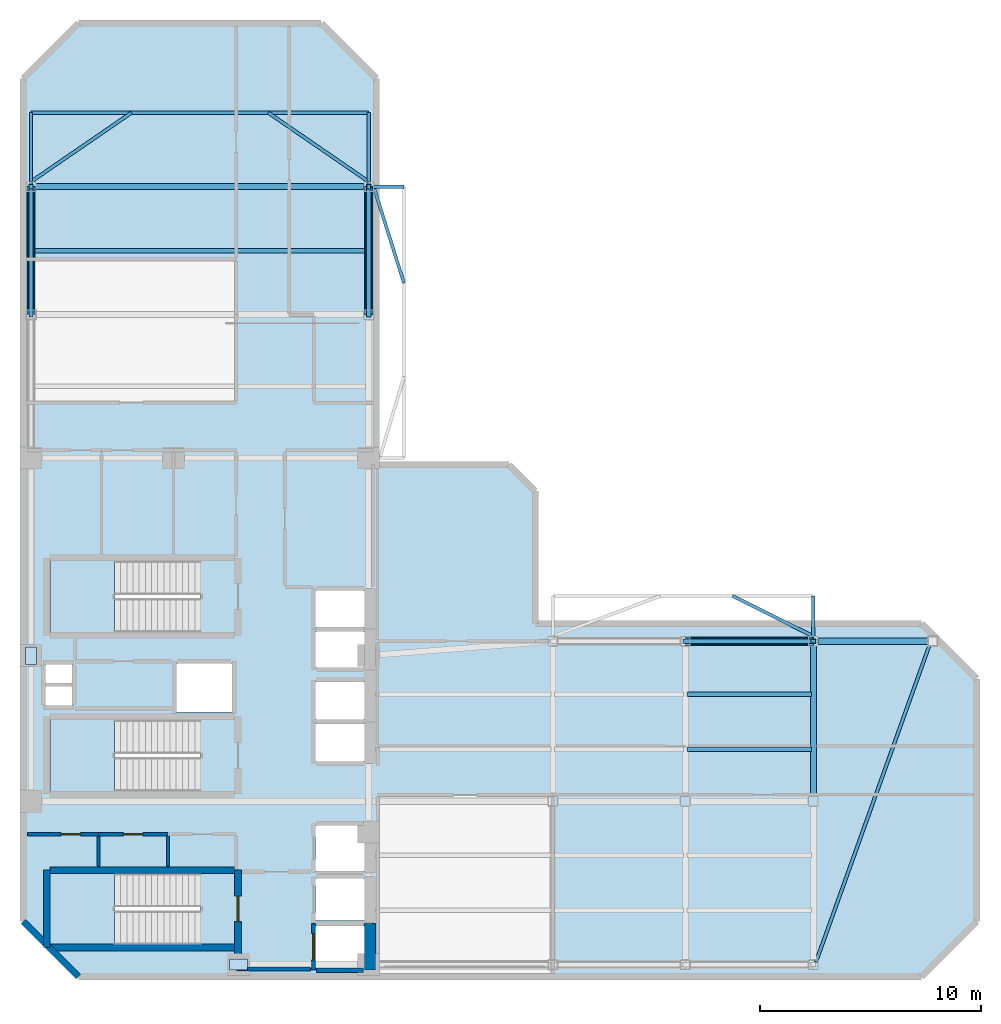
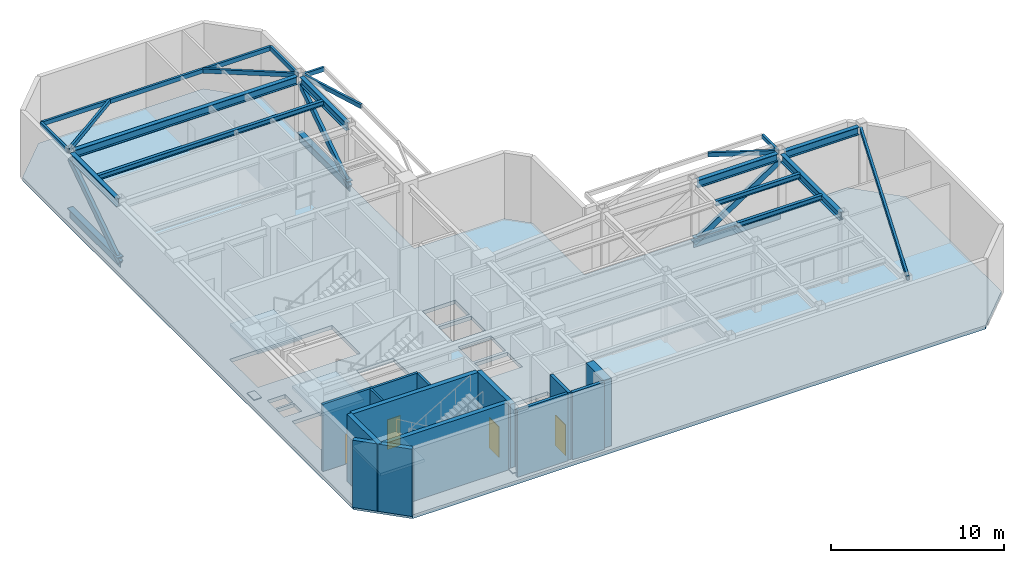
# One storey, part 2 of 7: 19 beams, 13 walls, 6 members, 4 doors, 4 slabs, 2 plates, 4 openings, 3 elements without a shape of their own.
"""IFC4 building model written with IfcOpenShell, lengths in metres."""

from ifc_helpers import new_model, si_unit, direction, frame, frame_2d, origin, origin_2d, place, context, subcontext, project, spatial, polyline, rectangle, hollow_rectangle, i_section, outline, extrude, material, layer, layer_set, material_profile, profile_set, type_object, element, fill, aggregate, save


model = new_model("IFC4")

# Units and contexts
model_context = context("Model", 3, precision=1e-05, world=origin(), true_north=direction((0.0, 1.0)))
body_context = subcontext(model_context, "Body", "Model", "MODEL_VIEW")
ifc_project = project(units=[si_unit("LENGTHUNIT", "METRE"), si_unit("AREAUNIT", "SQUARE_METRE"), si_unit("VOLUMEUNIT", "CUBIC_METRE"), si_unit("PLANEANGLEUNIT", "RADIAN"), si_unit("MASSUNIT", "GRAM", prefix="KILO")], contexts=[model_context])

# Site, building, storey
site_placement = place(None, origin())
site = spatial("IfcSite", under=ifc_project, at=site_placement, CompositionType="ELEMENT")
building_placement = place(site_placement, origin())
building = spatial("IfcBuilding", under=site, at=building_placement, Name="Mawjaban Terraces University", CompositionType="ELEMENT")
storey_placement = place(building_placement, frame((0.0, 0.0, 238.199951171875)))
storey = spatial("IfcBuildingStorey", under=building, at=storey_placement, Name="L58", CompositionType="ELEMENT", Elevation=238.199951171875)

# Beams
ifc_material_1 = material(Name="Steel EN 10210-1 S355J2H", Category="steel")
ifc_material_profile_1 = material_profile(ifc_material_1, hollow_rectangle(XDim=0.14990234375, YDim=0.300048828125, WallThickness=0.012451171875, at=origin_2d()), Name="RHS300X150X12.5")
ifc_profile_set_1 = profile_set([ifc_material_profile_1], Name="Steel EN 10210-1 S355J2H")
beam_type_1 = type_object("IfcBeamType", Name="BalconyCantileverSpandrel_RHS", PredefinedType="SPANDREL", material=ifc_profile_set_1)
beam_1_placement = place(storey_placement, frame((57.800048828125, 15.425048828125, 4.590087890625), z_axis=(0.0, 1.0, 0.0), x_axis=(-1.0, 0.0, 0.0)))
element("IfcBeam", 1, at=beam_1_placement, inside=storey, type_object=beam_type_1, Name="L58 Exterior Outrigger BAL-L59-N.2", PredefinedType="SPANDREL", context=body_context, shape_type="SweptSolid", body=[
    extrude(hollow_rectangle(XDim=0.14990234375, YDim=0.300048828125, WallThickness=0.012451171875, at=origin_2d()), origin(), (0.0, 0.0, 1.0), 1.824951171875),
])
beam_2_placement = place(storey_placement, frame((57.800048828125, 15.425048828125, 4.590087890625), z_axis=(-0.894928055926, 0.446210460115, 0.0), x_axis=(-0.446210460115, -0.894928055926, 0.0)))
element("IfcBeam", 2, at=beam_2_placement, inside=storey, type_object=beam_type_1, Name="L58 Exterior Diagonal Strut BAL-L59-N.2", PredefinedType="SPANDREL", context=body_context, shape_type="SweptSolid", body=[
    extrude(hollow_rectangle(XDim=0.14990234375, YDim=0.300048828125, WallThickness=0.012451171875, at=origin_2d()), origin(), (0.0, 0.0, 1.0), 4.08984375),
])
beam_3_placement = place(storey_placement, frame((37.875, 35.800048828125, 4.590087890625), z_axis=(1.0, 0.0, 0.0), x_axis=(0.0, 1.0, 0.0)))
element("IfcBeam", 3, at=beam_3_placement, inside=storey, type_object=beam_type_1, Name="L58 Exterior Outrigger BAL-L59-E.2", PredefinedType="SPANDREL", context=body_context, shape_type="SweptSolid", body=[
    extrude(hollow_rectangle(XDim=0.14990234375, YDim=0.300048828125, WallThickness=0.012451171875, at=origin_2d()), origin(), (0.0, 0.0, 1.0), 1.375),
])
beam_4_placement = place(storey_placement, frame((37.875, 35.800048828125, 4.590087890625), z_axis=(0.300009430376, -0.95393623565, 0.0), x_axis=(0.95393623565, 0.300009430376, 0.0)))
element("IfcBeam", 4, at=beam_4_placement, inside=storey, type_object=beam_type_1, Name="L58 Exterior Diagonal Strut BAL-L59-E.2", PredefinedType="SPANDREL", context=body_context, shape_type="SweptSolid", body=[
    extrude(hollow_rectangle(XDim=0.14990234375, YDim=0.300048828125, WallThickness=0.012451171875, at=origin_2d()), origin(), (0.0, 0.0, 1.0), 4.583251953125),
])
beam_5_placement = place(storey_placement, frame((57.919921875, 0.669921875, 4.590087890625), z_axis=(0.337128459036, 0.941458656611, 0.0), x_axis=(-0.941458656611, 0.337128459036, 0.0)))
element("IfcBeam", 5, at=beam_5_placement, inside=storey, type_object=beam_type_1, Name="L58 Setback Terrace Diagonal TER-L59-EAST.1", PredefinedType="SPANDREL", context=body_context, shape_type="SweptSolid", body=[
    extrude(hollow_rectangle(XDim=0.14990234375, YDim=0.300048828125, WallThickness=0.012451171875, at=origin_2d()), origin(), (0.0, 0.0, 1.0), 15.30615234375),
])
for number, where, z_axis, x_axis, name in (
    (6, (22.35009765625, 36.02490234375, 4.590087890625), (0.0, 1.0, 0.0), (-1.0, 0.0, 0.0), "L58 Exterior Outrigger TER-L59-NORTH.1"),
    (7, (37.64990234375, 36.02490234375, 4.590087890625), (0.0, 1.0, 0.0), (-1.0, 0.0, 0.0), "L58 Exterior Outrigger TER-L59-NORTH.2"),
):
    element("IfcBeam", number, at=place(storey_placement, frame(where, z_axis=z_axis, x_axis=x_axis)), inside=storey, type_object=beam_type_1, Name=name, PredefinedType="SPANDREL", context=body_context, shape_type="SweptSolid", body=[
        extrude(hollow_rectangle(XDim=0.14990234375, YDim=0.300048828125, WallThickness=0.012451171875, at=origin_2d()), origin(), (0.0, 0.0, 1.0), 3.125),
    ])
beam_6_placement = place(storey_placement, frame((22.35009765625, 39.14990234375, 4.590087890625), z_axis=(1.0, 0.0, 0.0), x_axis=(0.0, 1.0, 0.0)))
element("IfcBeam", 8, at=beam_6_placement, inside=storey, type_object=beam_type_1, Name="L58 Exterior Edge Spandrel TER-L59-NORTH", PredefinedType="SPANDREL", context=body_context, shape_type="SweptSolid", body=[
    extrude(hollow_rectangle(XDim=0.14990234375, YDim=0.300048828125, WallThickness=0.012451171875, at=origin_2d()), origin(), (0.0, 0.0, 1.0), 15.2998046875),
])
for number, where, z_axis, x_axis, name in (
    (9, (22.35009765625, 36.02490234375, 4.590087890625), (0.824294793562, 0.56616083696, 0.0), (-0.56616083696, 0.824294793562, 0.0), "L58 Exterior Diagonal Strut TER-L59-NORTH.1"),
    (10, (37.64990234375, 36.02490234375, 4.590087890625), (-0.824294793562, 0.56616083696, 0.0), (-0.56616083696, -0.824294793562, 0.0), "L58 Exterior Diagonal Strut TER-L59-NORTH.2"),
):
    element("IfcBeam", number, at=place(storey_placement, frame(where, z_axis=z_axis, x_axis=x_axis)), inside=storey, type_object=beam_type_1, Name=name, PredefinedType="SPANDREL", context=body_context, shape_type="SweptSolid", body=[
        extrude(hollow_rectangle(XDim=0.14990234375, YDim=0.300048828125, WallThickness=0.012451171875, at=origin_2d()), origin(), (0.0, 0.0, 1.0), 5.51953125),
    ])
ifc_material_2 = material(Name="Steel ASTM A572 Grade 50", Category="steel")
ifc_material_profile_2 = material_profile(ifc_material_2, i_section(OverallWidth=0.281005859375, OverallDepth=0.551025390625, WebThickness=0.01513671875, FlangeThickness=0.02587890625, at=origin_2d()), Name="W530X182")
ifc_profile_set_2 = profile_set([ifc_material_profile_2], Name="Steel ASTM A572 Grade 50")
beam_type_2 = type_object("IfcBeamType", Name="Beam_B_W530X182", PredefinedType="BEAM", material=ifc_profile_set_2)
beam_7_placement = place(storey_placement, frame((52.22509765625, 15.199951171875, 4.465087890625), z_axis=(1.0, 0.0, 0.0), x_axis=(0.0, 1.0, 0.0)))
element("IfcBeam", 11, at=beam_7_placement, inside=storey, type_object=beam_type_2, Name="L58 Beam BM-L58-EW-08", PredefinedType="BEAM", context=body_context, shape_type="SweptSolid", body=[
    extrude(i_section(OverallWidth=0.281005859375, OverallDepth=0.551025390625, WebThickness=0.01513671875, FlangeThickness=0.02587890625, at=origin_2d()), origin(), (0.0, 0.0, 1.0), 5.349853515625),
])
beam_8_placement = place(storey_placement, frame((58.02490234375, 15.199951171875, 4.465087890625), z_axis=(1.0, 0.0, 0.0), x_axis=(0.0, 1.0, 0.0)))
element("IfcBeam", 12, at=beam_8_placement, inside=storey, type_object=beam_type_2, Name="L58 Beam BM-L58-EW-09", PredefinedType="BEAM", context=body_context, shape_type="SweptSolid", body=[
    extrude(i_section(OverallWidth=0.281005859375, OverallDepth=0.551025390625, WebThickness=0.01513671875, FlangeThickness=0.02587890625, at=origin_2d()), origin(), (0.0, 0.0, 1.0), 4.9501953125),
])
beam_9_placement = place(storey_placement, frame((22.574951171875, 35.800048828125, 4.465087890625), z_axis=(1.0, 0.0, 0.0), x_axis=(0.0, 1.0, 0.0)))
element("IfcBeam", 13, at=beam_9_placement, inside=storey, type_object=beam_type_2, Name="L58 Beam BM-L58-EW-13", PredefinedType="BEAM", context=body_context, shape_type="SweptSolid", body=[
    extrude(i_section(OverallWidth=0.281005859375, OverallDepth=0.551025390625, WebThickness=0.01513671875, FlangeThickness=0.02587890625, at=origin_2d()), origin(), (0.0, 0.0, 1.0), 14.85009765625),
])
for number, where, z_axis, x_axis, name in (
    (14, (22.35009765625, 30.22509765625, 4.465087890625), (0.0, 1.0, 0.0), (-1.0, 0.0, 0.0), "L58 Beam BM-L58-NS-04"),
    (15, (37.64990234375, 30.22509765625, 4.465087890625), (0.0, 1.0, 0.0), (-1.0, 0.0, 0.0), "L58 Beam BM-L58-NS-09"),
):
    element("IfcBeam", number, at=place(storey_placement, frame(where, z_axis=z_axis, x_axis=x_axis)), inside=storey, type_object=beam_type_2, Name=name, PredefinedType="BEAM", context=body_context, shape_type="SweptSolid", body=[
        extrude(i_section(OverallWidth=0.281005859375, OverallDepth=0.551025390625, WebThickness=0.01513671875, FlangeThickness=0.02587890625, at=origin_2d()), origin(), (0.0, 0.0, 1.0), 5.349853515625),
    ])
beam_10_placement = place(storey_placement, frame((57.800048828125, 8.175048828125, 4.465087890625), z_axis=(0.0, 1.0, 0.0), x_axis=(-1.0, 0.0, 0.0)))
element("IfcBeam", 16, at=beam_10_placement, inside=storey, type_object=beam_type_2, Name="L58 Beam BM-L58-NS-15", PredefinedType="BEAM", context=body_context, shape_type="SweptSolid", body=[
    extrude(i_section(OverallWidth=0.281005859375, OverallDepth=0.551025390625, WebThickness=0.01513671875, FlangeThickness=0.02587890625, at=origin_2d()), origin(), (0.0, 0.0, 1.0), 6.800048828125),
])
ifc_material_profile_3 = material_profile(ifc_material_2, i_section(OverallWidth=0.202880859375, OverallDepth=0.346923828125, WebThickness=0.0078125, FlangeThickness=0.013427734375, at=origin_2d()), Name="W360X64")
ifc_profile_set_3 = profile_set([ifc_material_profile_3], Name="Steel ASTM A572 Grade 50")
beam_type_3 = type_object("IfcBeamType", Name="Beam_J_W360X64", PredefinedType="JOIST", material=ifc_profile_set_3)
for number, where, z_axis, x_axis, name in (
    (17, (52.080078125, 10.300048828125, 4.567138671875), (1.0, 0.0, 0.0), (0.0, 1.0, 0.0), "L58 Composite Joist JST-L58-09"),
    (18, (52.080078125, 12.800048828125, 4.567138671875), (1.0, 0.0, 0.0), (0.0, 1.0, 0.0), "L58 Composite Joist JST-L58-12"),
):
    element("IfcBeam", number, at=place(storey_placement, frame(where, z_axis=z_axis, x_axis=x_axis)), inside=storey, type_object=beam_type_3, Name=name, PredefinedType="JOIST", context=body_context, shape_type="SweptSolid", body=[
        extrude(i_section(OverallWidth=0.202880859375, OverallDepth=0.346923828125, WebThickness=0.0078125, FlangeThickness=0.013427734375, at=origin_2d()), origin(), (0.0, 0.0, 1.0), 5.639892578125),
    ])
beam_11_placement = place(storey_placement, frame((22.429931640625, 32.89990234375, 4.567138671875), z_axis=(1.0, 0.0, 0.0), x_axis=(0.0, 1.0, 0.0)))
element("IfcBeam", 19, at=beam_11_placement, inside=storey, type_object=beam_type_3, Name="L58 Composite Joist JST-L58-14", PredefinedType="JOIST", context=body_context, shape_type="SweptSolid", body=[
    extrude(i_section(OverallWidth=0.202880859375, OverallDepth=0.346923828125, WebThickness=0.0078125, FlangeThickness=0.013427734375, at=origin_2d()), origin(), (0.0, 0.0, 1.0), 15.14013671875),
])

# Members
ifc_material_3 = material(Name="Steel ASTM A913 Grade 65", Category="steel")
ifc_material_profile_4 = material_profile(ifc_material_3, hollow_rectangle(XDim=0.199951171875, YDim=0.39990234375, WallThickness=0.013916015625, at=origin_2d()), Name="RHS400X200X14")
ifc_profile_set_4 = profile_set([ifc_material_profile_4], Name="Steel ASTM A913 Grade 65")
member_type_1 = type_object("IfcMemberType", Name="Mem_BRACE_RHS400X200X14", PredefinedType="BRACE", material=ifc_profile_set_4)
for number, where, z_axis, x_axis, name in (
    (20, (52.0, 15.199951171875, 0.35009765625), (0.833827909756, 0.0, 0.552024471298), (0.0, 1.0, 0.0), "L58 Belt Truss Brace BE3"),
    (21, (22.35009765625, 30.0, 0.35009765625), (0.0, 0.833827909756, 0.552024471298), (-1.0, 0.0, 0.0), "L58 Belt Truss Brace BW2"),
    (22, (37.64990234375, 30.0, 0.35009765625), (0.0, 0.833827909756, 0.552024471298), (-1.0, 0.0, 0.0), "L58 Belt Truss Brace BN2"),
):
    element("IfcMember", number, at=place(storey_placement, frame(where, z_axis=z_axis, x_axis=x_axis)), inside=storey, type_object=member_type_1, Name=name, PredefinedType="BRACE", context=body_context, shape_type="SweptSolid", body=[
        extrude(hollow_rectangle(XDim=0.199951171875, YDim=0.39990234375, WallThickness=0.013916015625, at=origin_2d()), origin(), (0.0, 0.0, 1.0), 6.955810546875),
    ])
ifc_material_profile_5 = material_profile(ifc_material_3, i_section(OverallWidth=0.381103515625, OverallDepth=0.77294921875, WebThickness=0.0166015625, FlangeThickness=0.027587890625, at=origin_2d()), Name="W760X257")
ifc_profile_set_5 = profile_set([ifc_material_profile_5], Name="Steel ASTM A913 Grade 65")
member_type_2 = type_object("IfcMemberType", Name="Mem_CHORD_W760X257", PredefinedType="CHORD", material=ifc_profile_set_5)
for number, where, z_axis, x_axis, name in (
    (23, (52.0, 15.199951171875, 0.35009765625), (1.0, 0.0, 0.0), (0.0, 1.0, 0.0), "L58 Belt Truss Chord BE3"),
    (24, (22.35009765625, 30.0, 0.35009765625), (0.0, 1.0, 0.0), (-1.0, 0.0, 0.0), "L58 Belt Truss Chord BW2"),
    (25, (37.64990234375, 30.0, 0.35009765625), (0.0, 1.0, 0.0), (-1.0, 0.0, 0.0), "L58 Belt Truss Chord BN2"),
):
    element("IfcMember", number, at=place(storey_placement, frame(where, z_axis=z_axis, x_axis=x_axis)), inside=storey, type_object=member_type_2, Name=name, PredefinedType="CHORD", context=body_context, shape_type="SweptSolid", body=[
        extrude(i_section(OverallWidth=0.381103515625, OverallDepth=0.77294921875, WebThickness=0.0166015625, FlangeThickness=0.027587890625, at=origin_2d()), origin(), (0.0, 0.0, 1.0), 5.800048828125),
    ])

# Slab
ifc_material_4 = material(Name="Concrete C40/50", Category="concrete")
ifc_layer_1 = layer(ifc_material_4, 0.260009765625)
ifc_layer_set_1 = layer_set([ifc_layer_1], Name="Concrete C40/50")
slab_type_1 = type_object("IfcSlabType", Name="DiaphragmSlab_260", PredefinedType="FLOOR", material=ifc_layer_set_1)
slab_1_placement = place(storey_placement, frame((0.0, 0.0, -0.260009765625)))
element("IfcSlab", 26, at=slab_1_placement, inside=storey, type_object=slab_type_1, Name="L58 Primary Structural Slab", PredefinedType="FLOOR", context=body_context, shape_type="SweptSolid", body=[
    extrude(outline(polyline([(24.5, 0.0), (62.699951171875, 0.0), (65.199951171875, 2.5), (65.199951171875, 13.5), (62.699951171875, 16.0), (45.199951171875, 16.0), (45.199951171875, 22.0), (44.0, 23.199951171875), (38.0, 23.199951171875), (38.0, 40.699951171875), (35.5, 43.199951171875), (24.5, 43.199951171875), (22.0, 40.699951171875), (22.0, 2.5), (24.5, 0.0)]), holes=[polyline([(30.014892578125, 4.699951171875), (23.199951171875, 4.699951171875), (23.199951171875, 1.449951171875), (30.014892578125, 1.449951171875), (30.014892578125, 4.699951171875)]), polyline([(30.014892578125, 18.85009765625), (23.199951171875, 18.85009765625), (23.199951171875, 15.60009765625), (30.014892578125, 15.60009765625), (30.014892578125, 18.85009765625)]), polyline([(30.014892578125, 11.64990234375), (23.199951171875, 11.64990234375), (23.199951171875, 8.39990234375), (30.014892578125, 8.39990234375), (30.014892578125, 11.64990234375)]), polyline([(35.25, 0.39990234375), (37.449951171875, 0.39990234375), (37.449951171875, 2.300048828125), (35.25, 2.300048828125), (35.25, 0.39990234375)]), polyline([(35.25, 2.550048828125), (37.449951171875, 2.550048828125), (37.449951171875, 4.449951171875), (35.25, 4.449951171875), (35.25, 2.550048828125)]), polyline([(35.25, 4.800048828125), (37.449951171875, 4.800048828125), (37.449951171875, 6.85009765625), (35.25, 6.85009765625), (35.25, 4.800048828125)]), polyline([(35.25, 9.75), (37.449951171875, 9.75), (37.449951171875, 11.449951171875), (35.25, 11.449951171875), (35.25, 9.75)]), polyline([(35.25, 11.64990234375), (37.449951171875, 11.64990234375), (37.449951171875, 13.35009765625), (35.25, 13.35009765625), (35.25, 11.64990234375)]), polyline([(28.949951171875, 12.0), (31.449951171875, 12.0), (31.449951171875, 14.199951171875), (28.949951171875, 14.199951171875), (28.949951171875, 12.0)]), polyline([(35.25, 14.0), (37.449951171875, 14.0), (37.449951171875, 15.64990234375), (35.25, 15.64990234375), (35.25, 14.0)]), polyline([(35.25, 15.85009765625), (37.449951171875, 15.85009765625), (37.449951171875, 17.5), (35.25, 17.5), (35.25, 15.85009765625)]), polyline([(23.0, 12.25), (24.199951171875, 12.25), (24.199951171875, 13.14990234375), (23.0, 13.14990234375), (23.0, 12.25)]), polyline([(23.0, 13.300048828125), (24.199951171875, 13.300048828125), (24.199951171875, 14.179931640625), (23.0, 14.179931640625), (23.0, 13.300048828125)])]), origin(), (0.0, 0.0, 1.0), 0.260009765625),
])

# Plates
ifc_layer_2 = layer(ifc_material_2, 0.050048828125)
ifc_layer_set_2 = layer_set([ifc_layer_2], Name="Steel ASTM A572 Grade 50")
plate_type = type_object("IfcPlateType", Name="OutriggerEmbedPlate_50", PredefinedType="USERDEFINED", material=ifc_layer_set_2)
for number, where, z_axis, x_axis, name in (
    (27, (31.75, 0.550048828125, 0.3251953125), (0.0, 0.0, 1.0), (1.0, 0.0, 0.0), "L58 Outrigger Core Embed Plate OUT-E1"),
    (28, (22.35009765625, 14.550048828125, 0.3251953125), (0.0, 0.0, 1.0), (0.0, 1.0, 0.0), "L58 Outrigger Core Embed Plate OUT-N1"),
):
    element("IfcPlate", number, at=place(storey_placement, frame(where, z_axis=z_axis, x_axis=x_axis)), inside=storey, type_object=plate_type, Name=name, ObjectType="GUSSET_PLATE", PredefinedType="USERDEFINED", context=body_context, shape_type="SweptSolid", body=[
        extrude(rectangle(XDim=0.800048828125, YDim=0.5, at=origin_2d()), origin(), (0.0, 0.0, 1.0), 0.050048828125),
    ])

# Stair, slab
stair_type = type_object("IfcStairType", Name="Stair_Core1550_H50", PredefinedType="HALF_TURN_STAIR", material=ifc_material_4)
stair_1_placement = place(storey_placement, origin())
stair_1 = element("IfcStair", 29, at=stair_1_placement, inside=storey, type_object=stair_type, Name="L58 Core Exit Stair 1", PredefinedType="HALF_TURN_STAIR")
ifc_layer_3 = layer(ifc_material_4, 0.199951171875)
ifc_layer_set_3 = layer_set([ifc_layer_3], Name="Concrete C40/50")
slab_type_2 = type_object("IfcSlabType", Name="StairLandingSlab_200", PredefinedType="LANDING", material=ifc_layer_set_3)
slab_2_placement = place(storey_placement, frame((0.0, 0.0, 2.300048828125)))
slab_2 = element("IfcSlab", 30, at=slab_2_placement, type_object=slab_type_2, Name="ST-1 landing 1", PredefinedType="LANDING", context=body_context, shape_type="SweptSolid", body=[
    extrude(outline(polyline([(26.1298828125, 4.699951171875), (23.199951171875, 4.699951171875), (23.199951171875, 1.449951171875), (26.1298828125, 1.449951171875), (26.1298828125, 4.699951171875)])), origin(), (0.0, 0.0, 1.0), 0.199951171875),
])
aggregate(stair_1, [slab_2])

stair_2_placement = place(storey_placement, origin())
stair_2 = element("IfcStair", 31, at=stair_2_placement, inside=storey, type_object=stair_type, Name="L58 Core Exit Stair 2", PredefinedType="HALF_TURN_STAIR")
slab_3_placement = place(storey_placement, frame((0.0, 0.0, 2.300048828125)))
slab_3 = element("IfcSlab", 32, at=slab_3_placement, type_object=slab_type_2, Name="ST-2 landing 1", PredefinedType="LANDING", context=body_context, shape_type="SweptSolid", body=[
    extrude(outline(polyline([(26.1298828125, 18.85009765625), (23.199951171875, 18.85009765625), (23.199951171875, 15.60009765625), (26.1298828125, 15.60009765625), (26.1298828125, 18.85009765625)])), origin(), (0.0, 0.0, 1.0), 0.199951171875),
])
aggregate(stair_2, [slab_3])

stair_3_placement = place(storey_placement, origin())
stair_3 = element("IfcStair", 33, at=stair_3_placement, inside=storey, type_object=stair_type, Name="L58 Core Exit Stair 3", PredefinedType="HALF_TURN_STAIR")
slab_4_placement = place(storey_placement, frame((0.0, 0.0, 2.300048828125)))
slab_4 = element("IfcSlab", 34, at=slab_4_placement, type_object=slab_type_2, Name="ST-3 landing 1", PredefinedType="LANDING", context=body_context, shape_type="SweptSolid", body=[
    extrude(outline(polyline([(26.1298828125, 11.64990234375), (23.199951171875, 11.64990234375), (23.199951171875, 8.39990234375), (26.1298828125, 8.39990234375), (26.1298828125, 11.64990234375)])), origin(), (0.0, 0.0, 1.0), 0.199951171875),
])
aggregate(stair_3, [slab_4])

# Wall
ifc_material_5 = material(Name="Concrete C60/75", Category="concrete")
ifc_layer_4 = layer(ifc_material_5, 0.5)
ifc_layer_set_4 = layer_set([ifc_layer_4], Name="Concrete C60/75")
wall_type_1 = type_object("IfcWallType", Name="CoreShearWall_500", PredefinedType="SHEAR", material=ifc_layer_set_4)
wall_1_placement = place(storey_placement, frame((37.699951171875, 0.300048828125, 0.0), z_axis=(0.0, 0.0, 1.0), x_axis=(0.0, 1.0, 0.0)))
element("IfcWall", 35, at=wall_1_placement, inside=storey, type_object=wall_type_1, Name="L58 Lift FL-1 Hoistway Wall East", PredefinedType="SHEAR", context=body_context, shape_type="SweptSolid", body=[
    extrude(rectangle(XDim=2.099853515625, YDim=0.5, at=frame_2d((1.0498046875, 0.0))), origin(), (0.0, 0.0, 1.0), 4.739990234375),
])

# Wall, opening, door
ifc_material_6 = material(Name="Fire-rated gypsum board on steel stud", Category="steel")
ifc_layer_5 = layer(ifc_material_6, 0.159912109375)
ifc_layer_set_5 = layer_set([ifc_layer_5], Name="Fire-rated gypsum board on steel stud")
wall_type_2 = type_object("IfcWallType", Name="CorridorPartition_160", PredefinedType="PARTITIONING", material=ifc_layer_set_5)
wall_2_placement = place(storey_placement, frame((22.199951171875, 6.449951171875, 0.0), z_axis=(0.0, 0.0, 1.0), x_axis=(1.0, 0.0, 0.0)))
wall_2 = element("IfcWall", 36, at=wall_2_placement, inside=storey, type_object=wall_type_2, Name="L58 Core Washroom Lobby Partition 1", PredefinedType="PARTITIONING", context=body_context, shape_type="SweptSolid", body=[
    extrude(rectangle(XDim=3.199951171875, YDim=0.159912109375, at=frame_2d((1.60009765625, 0.0))), origin(), (0.0, 0.0, 1.0), 4.739990234375),
])
opening_1_placement = place(wall_2_placement, frame((1.510009765625, 0.0, 0.0)))
opening_1 = element("IfcOpeningElement", 37, at=opening_1_placement, cuts=wall_2, Name="Opening ID-088", PredefinedType="OPENING", context=body_context, shape_type="SweptSolid", body=[
    extrude(rectangle(XDim=0.8798828125, YDim=2.10009765625, at=frame_2d((0.43994140625, 1.050048828125))), frame((0.0, 0.08984375, 0.0), z_axis=(0.0, -1.0, 0.0), x_axis=(1.0, 0.0, 0.0)), (0.0, 0.0, 1.0), 0.179931640625),
])
ifc_material_7 = material(Name="Powder-coated steel frame and solid acoustic timber leaf", Category="steel")
door_type_1 = type_object("IfcDoorType", Name="ToiletDoor_880x2100", OperationType="NOTDEFINED", PredefinedType="DOOR", material=ifc_material_7)
door_1_placement = place(opening_1_placement, origin())
door_1 = element("IfcDoor", 38, at=door_1_placement, inside=storey, type_object=door_type_1, Name="L58 Male Toilet Door", OperationType="SINGLE_SWING_LEFT", OverallHeight=2.10009765625, OverallWidth=0.8798828125, PredefinedType="DOOR", context=body_context, shape_type="SweptSolid", body=[
    extrude(rectangle(XDim=0.8798828125, YDim=2.10009765625, at=frame_2d((0.43994140625, 1.050048828125))), frame((0.0, 0.02490234375, 0.0), z_axis=(0.0, -1.0, 0.0), x_axis=(1.0, 0.0, 0.0)), (0.0, 0.0, 1.0), 0.050048828125),
])
fill(opening_1, door_1)

wall_3_placement = place(storey_placement, frame((25.39990234375, 6.449951171875, 0.0), z_axis=(0.0, 0.0, 1.0), x_axis=(1.0, 0.0, 0.0)))
wall_3 = element("IfcWall", 39, at=wall_3_placement, inside=storey, type_object=wall_type_2, Name="L58 Core Washroom Lobby Partition 4", PredefinedType="PARTITIONING", context=body_context, shape_type="SweptSolid", body=[
    extrude(rectangle(XDim=3.150146484375, YDim=0.159912109375, at=frame_2d((1.5751953125, 0.0))), origin(), (0.0, 0.0, 1.0), 4.739990234375),
])
opening_2_placement = place(wall_3_placement, frame((1.135009765625, 0.0, 0.0)))
opening_2 = element("IfcOpeningElement", 40, at=opening_2_placement, cuts=wall_3, Name="Opening ID-088", PredefinedType="OPENING", context=body_context, shape_type="SweptSolid", body=[
    extrude(rectangle(XDim=0.8798828125, YDim=2.10009765625, at=frame_2d((0.43994140625, 1.050048828125))), frame((0.0, 0.08984375, 0.0), z_axis=(0.0, -1.0, 0.0), x_axis=(1.0, 0.0, 0.0)), (0.0, 0.0, 1.0), 0.179931640625),
])
door_2_placement = place(opening_2_placement, origin())
door_2 = element("IfcDoor", 41, at=door_2_placement, inside=storey, type_object=door_type_1, Name="L58 Female Toilet Door", OperationType="SINGLE_SWING_RIGHT", OverallHeight=2.10009765625, OverallWidth=0.8798828125, PredefinedType="DOOR", context=body_context, shape_type="SweptSolid", body=[
    extrude(rectangle(XDim=0.8798828125, YDim=2.10009765625, at=frame_2d((0.43994140625, 1.050048828125))), frame((0.0, 0.02490234375, 0.0), z_axis=(0.0, -1.0, 0.0), x_axis=(1.0, 0.0, 0.0)), (0.0, 0.0, 1.0), 0.050048828125),
])
fill(opening_2, door_2)

# Wall
ifc_material_8 = material(Name="Insulated terracotta rainscreen on concrete backup C40/50", Category="masonry")
ifc_layer_6 = layer(ifc_material_8, 0.300048828125)
ifc_layer_set_6 = layer_set([ifc_layer_6], Name="Insulated terracotta rainscreen on concrete backup C40/50")
wall_type_3 = type_object("IfcWallType", Name="ExtTerracottaWall_300", PredefinedType="SOLIDWALL", material=ifc_layer_set_6)
wall_4_placement = place(storey_placement, frame((22.0, 2.5, 0.0), z_axis=(0.0, 0.0, 1.0), x_axis=(0.707106781187, -0.707106781187, 0.0)))
element("IfcWall", 42, at=wall_4_placement, inside=storey, type_object=wall_type_3, Name="L58 Exterior Terracotta Wall 14", PredefinedType="SOLIDWALL", context=body_context, shape_type="SweptSolid", body=[
    extrude(rectangle(XDim=3.53564453125, YDim=0.300048828125, at=frame_2d((1.767822265625, 0.0))), origin(), (0.0, 0.0, 1.0), 4.739990234375),
])

# Wall, opening, door
ifc_layer_7 = layer(ifc_material_4, 0.199951171875)
ifc_layer_set_7 = layer_set([ifc_layer_7], Name="Concrete C40/50")
wall_type_4 = type_object("IfcWallType", Name="FireLobbyWall_200", PredefinedType="SOLIDWALL", material=ifc_layer_set_7)
wall_5_placement = place(storey_placement, frame((35.14990234375, 2.39990234375, 0.0), z_axis=(0.0, 0.0, 1.0), x_axis=(0.0, -1.0, 0.0)))
wall_5 = element("IfcWall", 43, at=wall_5_placement, inside=storey, type_object=wall_type_4, Name="L58 Lift FL-1 Hoistway Wall West", PredefinedType="SOLIDWALL", context=body_context, shape_type="SweptSolid", body=[
    extrude(rectangle(XDim=2.099853515625, YDim=0.199951171875, at=frame_2d((1.0498046875, 0.0))), origin(), (0.0, 0.0, 1.0), 4.739990234375),
])
opening_3_placement = place(wall_5_placement, frame((0.449951171875, 0.0, 0.0)))
opening_3 = element("IfcOpeningElement", 44, at=opening_3_placement, cuts=wall_5, Name="Opening LD-FL-1", PredefinedType="OPENING", context=body_context, shape_type="SweptSolid", body=[
    extrude(rectangle(XDim=1.199951171875, YDim=2.14990234375, at=frame_2d((0.60009765625, 1.074951171875))), frame((0.0, 0.10986328125, 0.0), z_axis=(0.0, -1.0, 0.0), x_axis=(1.0, 0.0, 0.0)), (0.0, 0.0, 1.0), 0.219970703125),
])
ifc_material_9 = material(Name="Powder-coated steel frame and fire-rated steel-faced leaf", Category="steel")
door_type_2 = type_object("IfcDoorType", Name="LiftLandingFSAE_1200x2150", OperationType="NOTDEFINED", PredefinedType="DOOR", material=ifc_material_9)
door_3_placement = place(opening_3_placement, origin())
door_3 = element("IfcDoor", 45, at=door_3_placement, inside=storey, type_object=door_type_2, Name="L58 Lift FL-1 Sliding Landing Door", OperationType="DOUBLE_DOOR_SLIDING", OverallHeight=2.14990234375, OverallWidth=1.199951171875, PredefinedType="DOOR", context=body_context, shape_type="SweptSolid", body=[
    extrude(rectangle(XDim=1.199951171875, YDim=2.14990234375, at=frame_2d((0.60009765625, 1.074951171875))), frame((0.0, 0.02490234375, 0.0), z_axis=(0.0, -1.0, 0.0), x_axis=(1.0, 0.0, 0.0)), (0.0, 0.0, 1.0), 0.050048828125),
])
fill(opening_3, door_3)

# Walls
wall_6_placement = place(storey_placement, frame((35.280029296875, 0.300048828125, 0.0), z_axis=(0.0, 0.0, 1.0), x_axis=(1.0, 0.0, 0.0)))
element("IfcWall", 46, at=wall_6_placement, inside=storey, type_object=wall_type_4, Name="L58 Lift FL-1 Hoistway Wall South", PredefinedType="SOLIDWALL", context=body_context, shape_type="SweptSolid", body=[
    extrude(rectangle(XDim=2.139892578125, YDim=0.199951171875, at=frame_2d((1.06982421875, 0.0))), origin(), (0.0, 0.0, 1.0), 4.739990234375),
])
wall_7_placement = place(storey_placement, frame((31.64990234375, 0.35009765625, 0.0), z_axis=(0.0, 0.0, 1.0), x_axis=(1.0, 0.0, 0.0)))
element("IfcWall", 47, at=wall_7_placement, inside=storey, type_object=wall_type_4, Name="L58 Firefighting Lift Lobby Partition 8", PredefinedType="SOLIDWALL", context=body_context, shape_type="SweptSolid", body=[
    extrude(rectangle(XDim=3.3701171875, YDim=0.199951171875, at=frame_2d((1.68505859375, 0.0))), origin(), (0.0, 0.0, 1.0), 4.739990234375),
])
ifc_layer_8 = layer(ifc_material_5, 0.300048828125)
ifc_layer_set_8 = layer_set([ifc_layer_8], Name="Concrete C60/75")
wall_type_5 = type_object("IfcWallType", Name="StairShaftWall_300", PredefinedType="SHEAR", material=ifc_layer_set_8)
wall_8_placement = place(storey_placement, frame((31.580078125, 4.830078125, 0.0), z_axis=(0.0, 0.0, 1.0), x_axis=(-1.0, 0.0, 0.0)))
element("IfcWall", 48, at=wall_8_placement, inside=storey, type_object=wall_type_5, Name="L58 ST-1 Stair Shaft Wall 1", PredefinedType="SHEAR", context=body_context, shape_type="SweptSolid", body=[
    extrude(rectangle(XDim=8.360107421875, YDim=0.300048828125, at=frame_2d((4.18017578125, 0.0))), origin(), (0.0, 0.0, 1.0), 4.739990234375),
])
wall_9_placement = place(storey_placement, frame((23.070068359375, 4.830078125, 0.0), z_axis=(0.0, 0.0, 1.0), x_axis=(0.0, -1.0, 0.0)))
element("IfcWall", 49, at=wall_9_placement, inside=storey, type_object=wall_type_5, Name="L58 ST-1 Stair Shaft Wall 2", PredefinedType="SHEAR", context=body_context, shape_type="SweptSolid", body=[
    extrude(rectangle(XDim=3.510009765625, YDim=0.300048828125, at=frame_2d((1.7548828125, 0.0))), origin(), (0.0, 0.0, 1.0), 4.739990234375),
])
wall_10_placement = place(storey_placement, frame((23.219970703125, 1.320068359375, 0.0), z_axis=(0.0, 0.0, 1.0), x_axis=(1.0, 0.0, 0.0)))
element("IfcWall", 50, at=wall_10_placement, inside=storey, type_object=wall_type_5, Name="L58 ST-1 Stair Shaft Wall 3", PredefinedType="SHEAR", context=body_context, shape_type="SweptSolid", body=[
    extrude(rectangle(XDim=8.360107421875, YDim=0.300048828125, at=frame_2d((4.18017578125, 0.0))), origin(), (0.0, 0.0, 1.0), 4.739990234375),
])

# Wall, opening, door
wall_11_placement = place(storey_placement, frame((31.72998046875, 0.9599609375, 0.0), z_axis=(0.0, 0.0, 1.0), x_axis=(0.0, 1.0, 0.0)))
wall_11 = element("IfcWall", 51, at=wall_11_placement, inside=storey, type_object=wall_type_5, Name="L58 ST-1 Stair Shaft Wall 4", PredefinedType="SHEAR", context=body_context, shape_type="SweptSolid", body=[
    extrude(rectangle(XDim=3.8701171875, YDim=0.300048828125, at=frame_2d((1.93505859375, 0.0))), origin(), (0.0, 0.0, 1.0), 4.739990234375),
])
opening_4_placement = place(wall_11_placement, frame((1.5400390625, 0.0, 0.0)))
opening_4 = element("IfcOpeningElement", 52, at=opening_4_placement, cuts=wall_11, Name="Opening FD-115", PredefinedType="OPENING", context=body_context, shape_type="SweptSolid", body=[
    extrude(rectangle(XDim=1.14990234375, YDim=2.14990234375, at=frame_2d((0.574951171875, 1.074951171875))), frame((0.0, 0.159912109375, 0.0), z_axis=(0.0, -1.0, 0.0), x_axis=(1.0, 0.0, 0.0)), (0.0, 0.0, 1.0), 0.320068359375),
])
door_type_3 = type_object("IfcDoorType", Name="FireStairDoor_1150x2150", OperationType="NOTDEFINED", PredefinedType="DOOR", material=ifc_material_9)
door_4_placement = place(opening_4_placement, origin())
door_4 = element("IfcDoor", 53, at=door_4_placement, inside=storey, type_object=door_type_3, Name="L58 ST-1 Pressurised Stair Fire Door", OperationType="SINGLE_SWING_LEFT", OverallHeight=2.14990234375, OverallWidth=1.14990234375, PredefinedType="DOOR", context=body_context, shape_type="SweptSolid", body=[
    extrude(rectangle(XDim=1.14990234375, YDim=2.14990234375, at=frame_2d((0.574951171875, 1.074951171875))), frame((0.0, 0.02490234375, 0.0), z_axis=(0.0, -1.0, 0.0), x_axis=(1.0, 0.0, 0.0)), (0.0, 0.0, 1.0), 0.050048828125),
])
fill(opening_4, door_4)

# Walls
ifc_material_10 = material(Name="Cement-board wet-room partition", Category="masonry")
ifc_layer_9 = layer(ifc_material_10, 0.135009765625)
ifc_layer_set_9 = layer_set([ifc_layer_9], Name="Cement-board wet-room partition")
wall_type_6 = type_object("IfcWallType", Name="WetRoomPartition_135", PredefinedType="PARTITIONING", material=ifc_layer_set_9)
for number, where, z_axis, x_axis, name in (
    (54, (25.39990234375, 5.010009765625, 0.0), (0.0, 0.0, 1.0), (0.0, 1.0, 0.0), "L58 Male Toilet Partition 23"),
    (55, (28.550048828125, 5.010009765625, 0.0), (0.0, 0.0, 1.0), (0.0, 1.0, 0.0), "L58 Female Toilet Partition 25"),
):
    element("IfcWall", number, at=place(storey_placement, frame(where, z_axis=z_axis, x_axis=x_axis)), inside=storey, type_object=wall_type_6, Name=name, PredefinedType="PARTITIONING", context=body_context, shape_type="SweptSolid", body=[
        extrude(rectangle(XDim=1.364990234375, YDim=0.135009765625, at=frame_2d((0.6826171875, 0.0))), origin(), (0.0, 0.0, 1.0), 4.739990234375),
    ])

save(model, "model.ifc")
